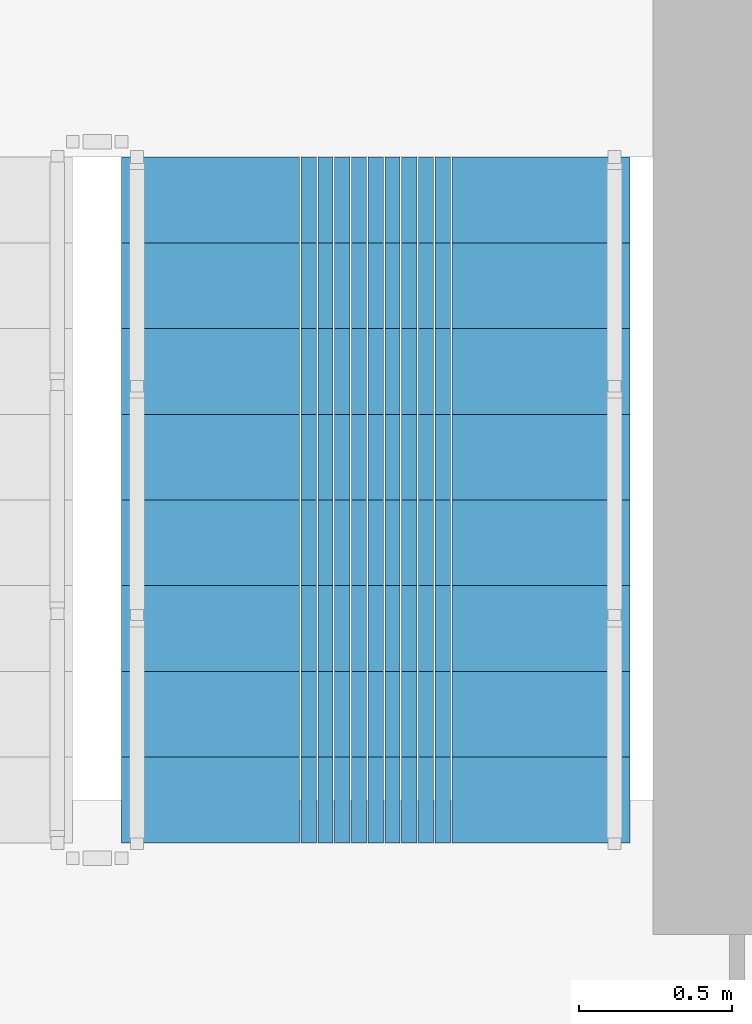
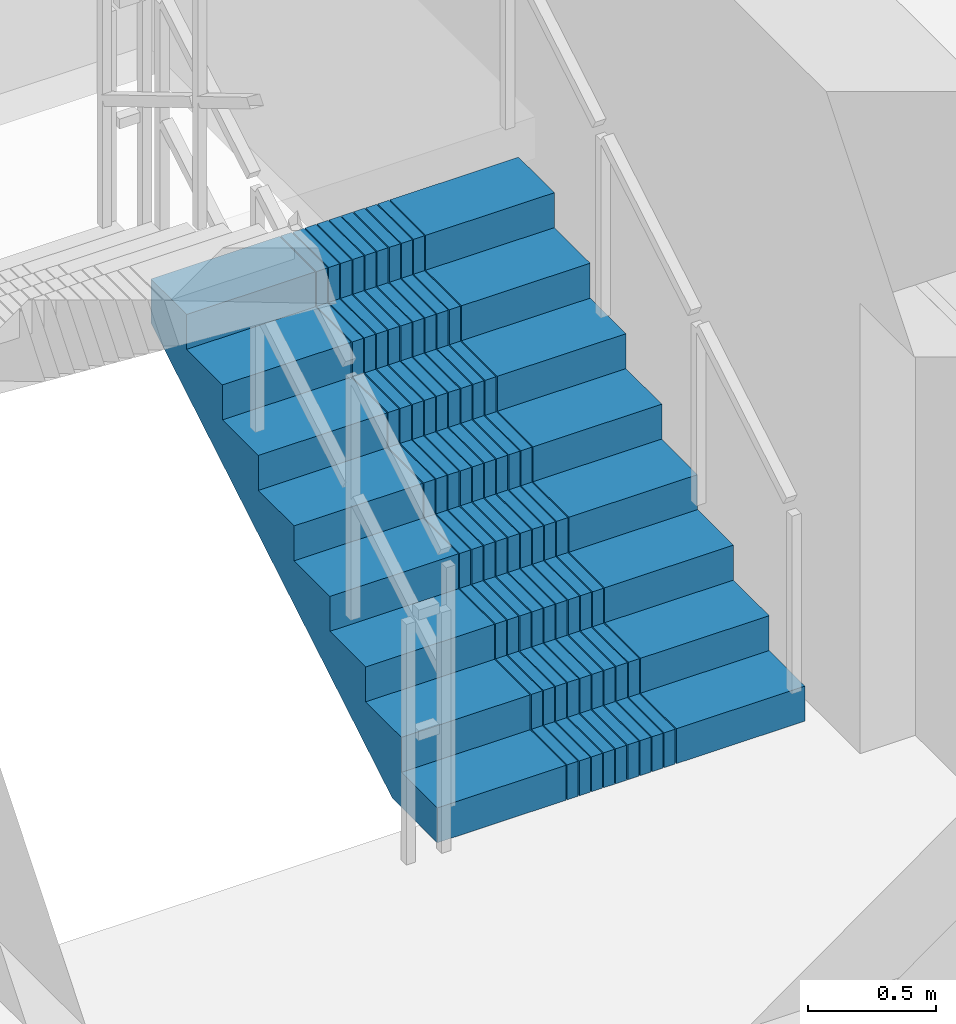
# One storey, part 20 of 24: 1 stair flight, 1 element without a shape of its own.
"""IFC4 building model written with IfcOpenShell, lengths in metres."""

import ifcopenshell
import ifcopenshell.guid

model = None  # the IFC model being written
_history = None  # IfcOwnerHistory: only IFC2X3 demands one
_inside = {}  # id of a spatial element -> (the spatial element, [elements in it])
_under = {}  # id of a project, library or spatial element -> (it, [spatial elements below it])
_declared = {}  # id of a project -> (the project, [libraries it declares])
_typed = {}  # id of a type object -> (the type object, [elements of that type])
_made_of = {}  # id of a material, layer set ... -> (it, [elements and type objects made of it])


def new_model(schema):
    """Start an empty IFC model of exactly this schema.

    Asked for "IFC4X3", IfcOpenShell would pick the latest addendum, in which some entities
    have other attributes; the version numbers below select the first issue.
    IFC2X3 requires an IfcOwnerHistory on every rooted entity: one is made here for all.
    """
    global model, _history
    if schema == "IFC4X3":
        model = ifcopenshell.file(schema_version=(4, 3, 0, 0))
    else:
        model = ifcopenshell.file(schema=schema)
    _inside.clear()
    _under.clear()
    _declared.clear()
    _typed.clear()
    _made_of.clear()
    _history = None
    if model.schema == "IFC2X3":
        org = make("IfcOrganization", Name="unknown")
        user = make(
            "IfcPersonAndOrganization",
            ThePerson=make("IfcPerson", FamilyName="unknown"),
            TheOrganization=org,
        )
        app = make(
            "IfcApplication",
            ApplicationDeveloper=org,
            Version="unknown",
            ApplicationFullName="unknown",
            ApplicationIdentifier="unknown",
        )
        _history = make(
            "IfcOwnerHistory",
            OwningUser=user,
            OwningApplication=app,
            ChangeAction="ADDED",
            CreationDate=0,
        )
    return model


def make(cls, **values):
    """One entity of the class cls with the attributes given. An attribute that is None is left unset."""
    return model.create_entity(
        cls, **{name: value for name, value in values.items() if value is not None}
    )


def rooted(cls, **values):
    """An entity with a GlobalId (a new one), such as an element, a storey or a relation."""
    return make(cls, GlobalId=ifcopenshell.guid.new(), OwnerHistory=_history, **values)


def si_unit(unit_type, name, prefix=None):
    """IfcSIUnit, for example si_unit("LENGTHUNIT", "METRE", prefix="MILLI")."""
    return make("IfcSIUnit", UnitType=unit_type, Prefix=prefix, Name=name)


def assignment(units):
    """IfcUnitAssignment: the units of a project."""
    return None if units is None else make("IfcUnitAssignment", Units=units)


def point(xyz):
    """IfcCartesianPoint."""
    return None if xyz is None else make("IfcCartesianPoint", Coordinates=xyz)


def direction(xyz):
    """IfcDirection."""
    return None if xyz is None else make("IfcDirection", DirectionRatios=xyz)


def frame(location, z_axis=None, x_axis=None):
    """IfcAxis2Placement3D, a coordinate frame: its origin and axes. An axis left out is left unset."""
    return make(
        "IfcAxis2Placement3D",
        Location=point(location),
        Axis=direction(z_axis),
        RefDirection=direction(x_axis),
    )


def origin():
    """The frame at (0, 0, 0) with its axes left unset."""
    return frame((0.0, 0.0, 0.0))


def place(relative_to, where):
    """IfcLocalPlacement: puts the frame where relative to a parent placement (None: the world)."""
    return make(
        "IfcLocalPlacement", PlacementRelTo=relative_to, RelativePlacement=where
    )


def context(
    kind, dimensions, precision=None, world=None, true_north=None, identifier=None
):
    """IfcGeometricRepresentationContext, for example the 3D "Model" context."""
    return make(
        "IfcGeometricRepresentationContext",
        ContextIdentifier=identifier,
        ContextType=kind,
        CoordinateSpaceDimension=dimensions,
        Precision=precision,
        WorldCoordinateSystem=world,
        TrueNorth=true_north,
    )


def subcontext(parent, identifier, kind, view, scale=None):
    """IfcGeometricRepresentationSubContext, for example "Body" below "Model"."""
    return make(
        "IfcGeometricRepresentationSubContext",
        ContextIdentifier=identifier,
        ContextType=kind,
        ParentContext=parent,
        TargetScale=scale,
        TargetView=view,
    )


def project(units=None, contexts=None):
    """IfcProject with its units and contexts."""
    return rooted(
        "IfcProject",
        Name="project",
        RepresentationContexts=contexts,
        UnitsInContext=assignment(units),
    )


def spatial(cls, under=None, at=None, **own):
    """A site, building, storey or space (cls), placed at a placement, below another one or the project."""
    s = rooted(cls, ObjectPlacement=at, **own)
    if under is not None:
        _under.setdefault(under.id(), (under, []))[1].append(s)
    return s


def polyline(points):
    """IfcPolyline through the points."""
    return make("IfcPolyline", Points=[point(p) for p in points])


def outline(outer, holes=None, kind="AREA"):
    """IfcArbitraryClosedProfileDef: a profile drawn as a closed curve; with holes, ...WithVoids."""
    if holes is None:
        return make("IfcArbitraryClosedProfileDef", ProfileType=kind, OuterCurve=outer)
    return make(
        "IfcArbitraryProfileDefWithVoids",
        ProfileType=kind,
        OuterCurve=outer,
        InnerCurves=holes,
    )


def extrude(swept, where, along, depth):
    """IfcExtrudedAreaSolid: the profile swept, set in the frame where, extruded along a direction by depth."""
    return make(
        "IfcExtrudedAreaSolid",
        SweptArea=swept,
        Position=where,
        ExtrudedDirection=direction(along),
        Depth=depth,
    )


def shape(context_of_items, identifier, shape_type, items):
    """IfcShapeRepresentation: the items that make up one representation, for example the "Body"."""
    return make(
        "IfcShapeRepresentation",
        ContextOfItems=context_of_items,
        RepresentationIdentifier=identifier,
        RepresentationType=shape_type,
        Items=items,
    )


def material(Name=None, Category=None):
    """IfcMaterial."""
    return make("IfcMaterial", Name=Name, Category=Category)


def made_of(thing, what):
    """Note that an element or type object is made of a material, layer set ...; save() writes the relation."""
    if what is not None:
        _made_of.setdefault(what.id(), (what, []))[1].append(thing)
    return thing


def type_object(cls, material=None, **own):
    """A type object (cls), such as IfcWallType, which elements share."""
    return made_of(rooted(cls, **own), material)


def element(
    cls,
    number,
    at=None,
    inside=None,
    cuts=None,
    type_object=None,
    material=None,
    context=None,
    identifier="Body",
    shape_type=None,
    held_by="IfcProductDefinitionShape",
    body=None,
    shapes=None,
    **own,
):
    """One element of the class cls, such as IfcWall. Its Tag is "e" and its number.

    at: its placement. inside: the storey or other place that contains it. cuts: it is an
    opening in that element (IfcRelVoidsElement). A single representation is given by context,
    identifier, shape_type and body (its items); several are given by shapes. held_by: the class
    of the entity that holds the representations. save() writes the other relations.
    """
    e = rooted(cls, Tag="e%d" % number, ObjectPlacement=at, **own)
    if body is not None:
        shapes = [shape(context, identifier, shape_type, body)]
    if shapes is not None:
        e.Representation = make(held_by, Representations=shapes)
    if inside is not None:
        _inside.setdefault(inside.id(), (inside, []))[1].append(e)
    if cuts is not None:
        rooted(
            "IfcRelVoidsElement", RelatingBuildingElement=cuts, RelatedOpeningElement=e
        )
    if type_object is not None:
        _typed.setdefault(type_object.id(), (type_object, []))[1].append(e)
    return made_of(e, material)


def aggregate(whole, parts):
    """IfcRelAggregates: a whole, such as a stair, and the parts it consists of."""
    return rooted("IfcRelAggregates", RelatingObject=whole, RelatedObjects=parts)


def save(model, path):
    """Write the relations noted so far, then the file.

    IfcRelAggregates (storeys below a building ...), IfcRelContainedInSpatialStructure (elements
    in a storey), IfcRelDefinesByType, IfcRelAssociatesMaterial and IfcRelDeclares: one each for
    every whole, place, type object, material and project.
    """
    for whole, parts in _under.values():
        aggregate(whole, parts)
    for where, things in _inside.values():
        rooted(
            "IfcRelContainedInSpatialStructure",
            RelatedElements=things,
            RelatingStructure=where,
        )
    for kind, things in _typed.values():
        rooted("IfcRelDefinesByType", RelatedObjects=things, RelatingType=kind)
    for what, things in _made_of.values():
        rooted("IfcRelAssociatesMaterial", RelatedObjects=things, RelatingMaterial=what)
    for by, libraries in _declared.values():
        rooted("IfcRelDeclares", RelatingContext=by, RelatedDefinitions=libraries)
    model.write(path)


model = new_model("IFC4")

# Units and contexts
model_context = context("Model", 3, precision=1e-05, world=origin(), true_north=direction((0.0, 1.0)))
body_context = subcontext(model_context, "Body", "Model", "MODEL_VIEW")
ifc_project = project(units=[si_unit("LENGTHUNIT", "METRE"), si_unit("AREAUNIT", "SQUARE_METRE"), si_unit("VOLUMEUNIT", "CUBIC_METRE"), si_unit("PLANEANGLEUNIT", "RADIAN"), si_unit("MASSUNIT", "GRAM", prefix="KILO")], contexts=[model_context])

# Site, building, storey
site_placement = place(None, origin())
site = spatial("IfcSite", under=ifc_project, at=site_placement, CompositionType="ELEMENT")
building_placement = place(site_placement, origin())
building = spatial("IfcBuilding", under=site, at=building_placement, Name="Saelheon Loggia Tower", CompositionType="ELEMENT")
storey_placement = place(building_placement, frame((0.0, 0.0, 98.85009765625)))
storey = spatial("IfcBuildingStorey", under=building, at=storey_placement, Name="L31", CompositionType="ELEMENT", Elevation=98.85009765625)

# Stair, stair flight
ifc_material = material(Name="Concrete C40/50", Category="concrete")
stair_type = type_object("IfcStairType", Name="Stair_Escape_Core", PredefinedType="HALF_TURN_STAIR", material=ifc_material)
stair_placement = place(storey_placement, origin())
stair = element("IfcStair", 1, at=stair_placement, inside=storey, type_object=stair_type, Name="L31 Special Escape Stair ST2", PredefinedType="HALF_TURN_STAIR")
stair_flight_type = type_object("IfcStairFlightType", Name="StairFlight_Tower_1660", PredefinedType="STRAIGHT", material=ifc_material)
stair_flight_placement = place(storey_placement, frame((43.320068359375, 30.449951171875, 0.0), z_axis=(0.0, 0.0, 1.0), x_axis=(0.0, 1.0, 0.0)))
stair_flight = element("IfcStairFlight", 2, at=stair_flight_placement, type_object=stair_flight_type, Name="ST2 flight 1", NumberOfRisers=9, NumberOfTreads=8, PredefinedType="STRAIGHT", RiserHeight=0.166666667, TreadLength=0.28, context=body_context, shape_type="SweptSolid", body=[
    extrude(outline(polyline([(0.0, 0.0), (0.0, 0.166748046875), (0.280029296875, 0.166748046875), (0.280029296875, 0.333251953125), (0.56005859375, 0.333251953125), (0.56005859375, 0.5), (0.840087890625, 0.5), (0.840087890625, 0.666748046875), (1.1201171875, 0.666748046875), (1.1201171875, 0.833251953125), (1.39990234375, 0.833251953125), (1.39990234375, 1.0), (1.679931640625, 1.0), (1.679931640625, 1.166748046875), (1.9599609375, 1.166748046875), (1.9599609375, 1.333251953125), (2.239990234375, 1.333251953125), (2.239990234375, 1.5), (2.239990234375, 1.1240234375), (0.351806640625, 0.0), (0.0, 0.0)])), frame((0.0, -0.2490234375, 0.0), z_axis=(0.0, -1.0, 0.0), x_axis=(1.0, 0.0, 0.0)), (0.0, 0.0, 1.0), 0.5810546875),
    extrude(outline(polyline([(0.0, 0.0), (0.0, 0.166748046875), (0.280029296875, 0.166748046875), (0.280029296875, 0.333251953125), (0.56005859375, 0.333251953125), (0.56005859375, 0.5), (0.840087890625, 0.5), (0.840087890625, 0.666748046875), (1.1201171875, 0.666748046875), (1.1201171875, 0.833251953125), (1.39990234375, 0.833251953125), (1.39990234375, 1.0), (1.679931640625, 1.0), (1.679931640625, 1.166748046875), (1.9599609375, 1.166748046875), (1.9599609375, 1.333251953125), (2.239990234375, 1.333251953125), (2.239990234375, 1.5), (2.239990234375, 1.1240234375), (0.351806640625, 0.0), (0.0, 0.0)])), frame((0.0, -0.194091796875, 0.0), z_axis=(0.0, -1.0, 0.0), x_axis=(1.0, 0.0, 0.0)), (0.0, 0.0, 1.0), 0.0498046875),
    extrude(outline(polyline([(0.0, 0.0), (0.0, 0.166748046875), (0.280029296875, 0.166748046875), (0.280029296875, 0.333251953125), (0.56005859375, 0.333251953125), (0.56005859375, 0.5), (0.840087890625, 0.5), (0.840087890625, 0.666748046875), (1.1201171875, 0.666748046875), (1.1201171875, 0.833251953125), (1.39990234375, 0.833251953125), (1.39990234375, 1.0), (1.679931640625, 1.0), (1.679931640625, 1.166748046875), (1.9599609375, 1.166748046875), (1.9599609375, 1.333251953125), (2.239990234375, 1.333251953125), (2.239990234375, 1.5), (2.239990234375, 1.1240234375), (0.351806640625, 0.0), (0.0, 0.0)])), frame((0.0, -0.139404296875, 0.0), z_axis=(0.0, -1.0, 0.0), x_axis=(1.0, 0.0, 0.0)), (0.0, 0.0, 1.0), 0.0498046875),
    extrude(outline(polyline([(0.0, 0.0), (0.0, 0.166748046875), (0.280029296875, 0.166748046875), (0.280029296875, 0.333251953125), (0.56005859375, 0.333251953125), (0.56005859375, 0.5), (0.840087890625, 0.5), (0.840087890625, 0.666748046875), (1.1201171875, 0.666748046875), (1.1201171875, 0.833251953125), (1.39990234375, 0.833251953125), (1.39990234375, 1.0), (1.679931640625, 1.0), (1.679931640625, 1.166748046875), (1.9599609375, 1.166748046875), (1.9599609375, 1.333251953125), (2.239990234375, 1.333251953125), (2.239990234375, 1.5), (2.239990234375, 1.1240234375), (0.351806640625, 0.0), (0.0, 0.0)])), frame((0.0, -0.084716796875, 0.0), z_axis=(0.0, -1.0, 0.0), x_axis=(1.0, 0.0, 0.0)), (0.0, 0.0, 1.0), 0.0498046875),
    extrude(outline(polyline([(0.0, 0.0), (0.0, 0.166748046875), (0.280029296875, 0.166748046875), (0.280029296875, 0.333251953125), (0.56005859375, 0.333251953125), (0.56005859375, 0.5), (0.840087890625, 0.5), (0.840087890625, 0.666748046875), (1.1201171875, 0.666748046875), (1.1201171875, 0.833251953125), (1.39990234375, 0.833251953125), (1.39990234375, 1.0), (1.679931640625, 1.0), (1.679931640625, 1.166748046875), (1.9599609375, 1.166748046875), (1.9599609375, 1.333251953125), (2.239990234375, 1.333251953125), (2.239990234375, 1.5), (2.239990234375, 1.1240234375), (0.351806640625, 0.0), (0.0, 0.0)])), frame((0.0, -0.02978515625, 0.0), z_axis=(0.0, -1.0, 0.0), x_axis=(1.0, 0.0, 0.0)), (0.0, 0.0, 1.0), 0.0498046875),
    extrude(outline(polyline([(0.0, 0.0), (0.0, 0.166748046875), (0.280029296875, 0.166748046875), (0.280029296875, 0.333251953125), (0.56005859375, 0.333251953125), (0.56005859375, 0.5), (0.840087890625, 0.5), (0.840087890625, 0.666748046875), (1.1201171875, 0.666748046875), (1.1201171875, 0.833251953125), (1.39990234375, 0.833251953125), (1.39990234375, 1.0), (1.679931640625, 1.0), (1.679931640625, 1.166748046875), (1.9599609375, 1.166748046875), (1.9599609375, 1.333251953125), (2.239990234375, 1.333251953125), (2.239990234375, 1.5), (2.239990234375, 1.1240234375), (0.351806640625, 0.0), (0.0, 0.0)])), frame((0.0, 0.02490234375, 0.0), z_axis=(0.0, -1.0, 0.0), x_axis=(1.0, 0.0, 0.0)), (0.0, 0.0, 1.0), 0.0498046875),
    extrude(outline(polyline([(0.0, 0.0), (0.0, 0.166748046875), (0.280029296875, 0.166748046875), (0.280029296875, 0.333251953125), (0.56005859375, 0.333251953125), (0.56005859375, 0.5), (0.840087890625, 0.5), (0.840087890625, 0.666748046875), (1.1201171875, 0.666748046875), (1.1201171875, 0.833251953125), (1.39990234375, 0.833251953125), (1.39990234375, 1.0), (1.679931640625, 1.0), (1.679931640625, 1.166748046875), (1.9599609375, 1.166748046875), (1.9599609375, 1.333251953125), (2.239990234375, 1.333251953125), (2.239990234375, 1.5), (2.239990234375, 1.1240234375), (0.351806640625, 0.0), (0.0, 0.0)])), frame((0.0, 0.07958984375, 0.0), z_axis=(0.0, -1.0, 0.0), x_axis=(1.0, 0.0, 0.0)), (0.0, 0.0, 1.0), 0.0498046875),
    extrude(outline(polyline([(0.0, 0.0), (0.0, 0.166748046875), (0.280029296875, 0.166748046875), (0.280029296875, 0.333251953125), (0.56005859375, 0.333251953125), (0.56005859375, 0.5), (0.840087890625, 0.5), (0.840087890625, 0.666748046875), (1.1201171875, 0.666748046875), (1.1201171875, 0.833251953125), (1.39990234375, 0.833251953125), (1.39990234375, 1.0), (1.679931640625, 1.0), (1.679931640625, 1.166748046875), (1.9599609375, 1.166748046875), (1.9599609375, 1.333251953125), (2.239990234375, 1.333251953125), (2.239990234375, 1.5), (2.239990234375, 1.1240234375), (0.351806640625, 0.0), (0.0, 0.0)])), frame((0.0, 0.134521484375, 0.0), z_axis=(0.0, -1.0, 0.0), x_axis=(1.0, 0.0, 0.0)), (0.0, 0.0, 1.0), 0.0498046875),
    extrude(outline(polyline([(0.0, 0.0), (0.0, 0.166748046875), (0.280029296875, 0.166748046875), (0.280029296875, 0.333251953125), (0.56005859375, 0.333251953125), (0.56005859375, 0.5), (0.840087890625, 0.5), (0.840087890625, 0.666748046875), (1.1201171875, 0.666748046875), (1.1201171875, 0.833251953125), (1.39990234375, 0.833251953125), (1.39990234375, 1.0), (1.679931640625, 1.0), (1.679931640625, 1.166748046875), (1.9599609375, 1.166748046875), (1.9599609375, 1.333251953125), (2.239990234375, 1.333251953125), (2.239990234375, 1.5), (2.239990234375, 1.1240234375), (0.351806640625, 0.0), (0.0, 0.0)])), frame((0.0, 0.189208984375, 0.0), z_axis=(0.0, -1.0, 0.0), x_axis=(1.0, 0.0, 0.0)), (0.0, 0.0, 1.0), 0.0498046875),
    extrude(outline(polyline([(0.0, 0.0), (0.0, 0.166748046875), (0.280029296875, 0.166748046875), (0.280029296875, 0.333251953125), (0.56005859375, 0.333251953125), (0.56005859375, 0.5), (0.840087890625, 0.5), (0.840087890625, 0.666748046875), (1.1201171875, 0.666748046875), (1.1201171875, 0.833251953125), (1.39990234375, 0.833251953125), (1.39990234375, 1.0), (1.679931640625, 1.0), (1.679931640625, 1.166748046875), (1.9599609375, 1.166748046875), (1.9599609375, 1.333251953125), (2.239990234375, 1.333251953125), (2.239990234375, 1.5), (2.239990234375, 1.1240234375), (0.351806640625, 0.0), (0.0, 0.0)])), frame((0.0, 0.243896484375, 0.0), z_axis=(0.0, -1.0, 0.0), x_axis=(1.0, 0.0, 0.0)), (0.0, 0.0, 1.0), 0.0498046875),
    extrude(outline(polyline([(0.0, 0.0), (0.0, 0.166748046875), (0.280029296875, 0.166748046875), (0.280029296875, 0.333251953125), (0.56005859375, 0.333251953125), (0.56005859375, 0.5), (0.840087890625, 0.5), (0.840087890625, 0.666748046875), (1.1201171875, 0.666748046875), (1.1201171875, 0.833251953125), (1.39990234375, 0.833251953125), (1.39990234375, 1.0), (1.679931640625, 1.0), (1.679931640625, 1.166748046875), (1.9599609375, 1.166748046875), (1.9599609375, 1.333251953125), (2.239990234375, 1.333251953125), (2.239990234375, 1.5), (2.239990234375, 1.1240234375), (0.351806640625, 0.0), (0.0, 0.0)])), frame((0.0, 0.830078125, 0.0), z_axis=(0.0, -1.0, 0.0), x_axis=(1.0, 0.0, 0.0)), (0.0, 0.0, 1.0), 0.5810546875),
])
aggregate(stair, [stair_flight])

save(model, "model.ifc")
